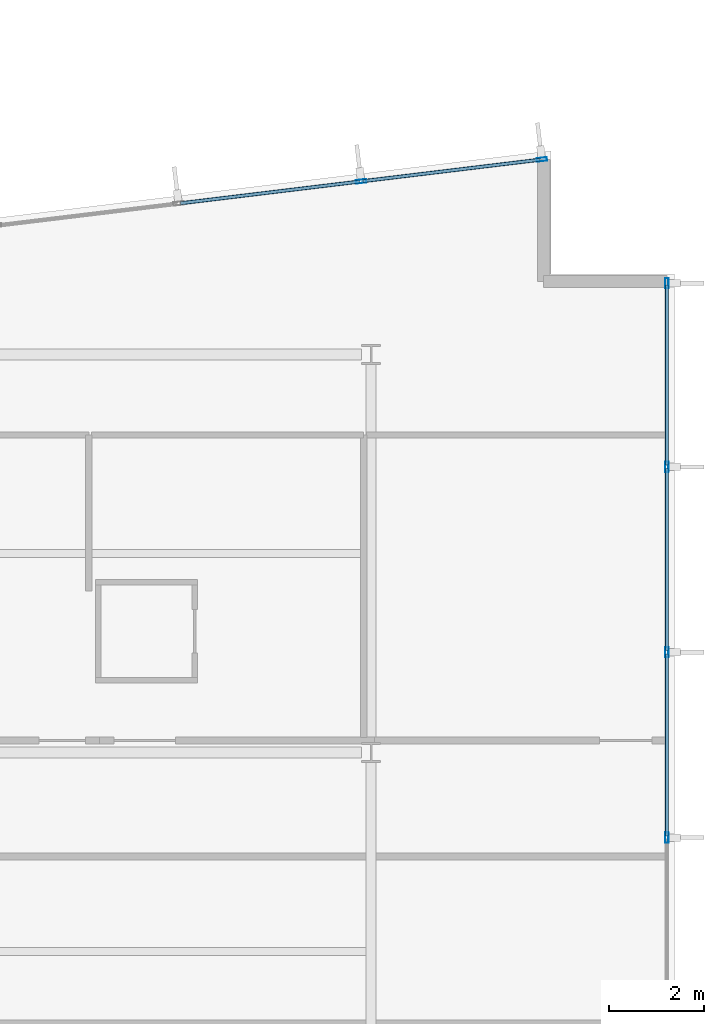
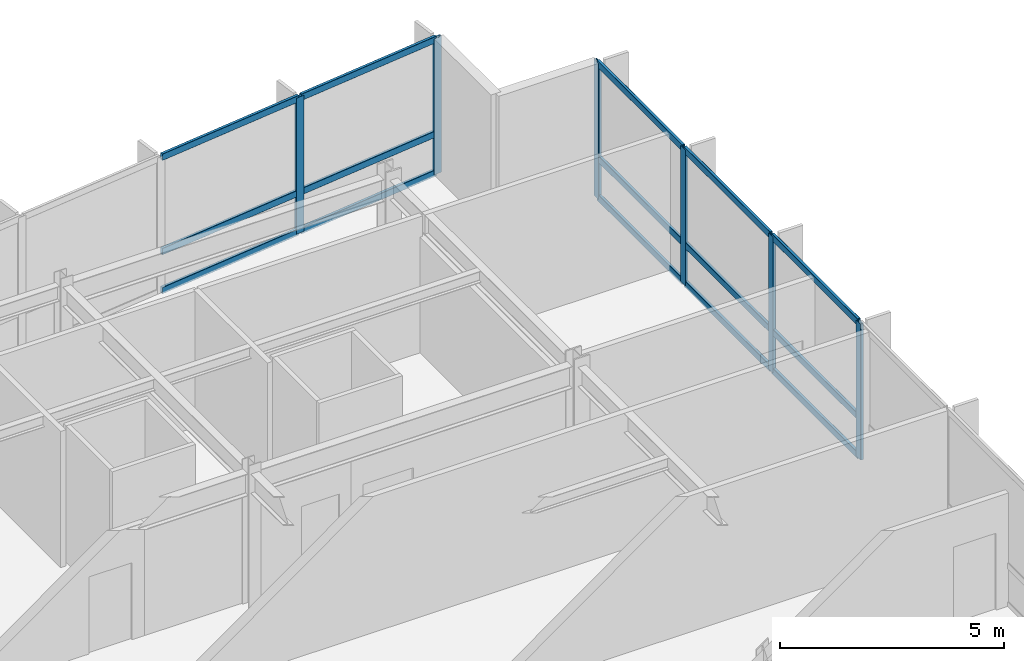
# One storey, part 8 of 17: 21 members, 2 elements without a shape of their own.
"""IFC4 building model written with IfcOpenShell, lengths in metres."""

import ifcopenshell
import ifcopenshell.guid

model = None  # the IFC model being written
_history = None  # IfcOwnerHistory: only IFC2X3 demands one
_inside = {}  # id of a spatial element -> (the spatial element, [elements in it])
_under = {}  # id of a project, library or spatial element -> (it, [spatial elements below it])
_declared = {}  # id of a project -> (the project, [libraries it declares])
_typed = {}  # id of a type object -> (the type object, [elements of that type])
_made_of = {}  # id of a material, layer set ... -> (it, [elements and type objects made of it])


def new_model(schema):
    """Start an empty IFC model of exactly this schema.

    Asked for "IFC4X3", IfcOpenShell would pick the latest addendum, in which some entities
    have other attributes; the version numbers below select the first issue.
    IFC2X3 requires an IfcOwnerHistory on every rooted entity: one is made here for all.
    """
    global model, _history
    if schema == "IFC4X3":
        model = ifcopenshell.file(schema_version=(4, 3, 0, 0))
    else:
        model = ifcopenshell.file(schema=schema)
    _inside.clear()
    _under.clear()
    _declared.clear()
    _typed.clear()
    _made_of.clear()
    _history = None
    if model.schema == "IFC2X3":
        org = make("IfcOrganization", Name="unknown")
        user = make(
            "IfcPersonAndOrganization",
            ThePerson=make("IfcPerson", FamilyName="unknown"),
            TheOrganization=org,
        )
        app = make(
            "IfcApplication",
            ApplicationDeveloper=org,
            Version="unknown",
            ApplicationFullName="unknown",
            ApplicationIdentifier="unknown",
        )
        _history = make(
            "IfcOwnerHistory",
            OwningUser=user,
            OwningApplication=app,
            ChangeAction="ADDED",
            CreationDate=0,
        )
    return model


def make(cls, **values):
    """One entity of the class cls with the attributes given. An attribute that is None is left unset."""
    return model.create_entity(
        cls, **{name: value for name, value in values.items() if value is not None}
    )


def rooted(cls, **values):
    """An entity with a GlobalId (a new one), such as an element, a storey or a relation."""
    return make(cls, GlobalId=ifcopenshell.guid.new(), OwnerHistory=_history, **values)


def si_unit(unit_type, name, prefix=None):
    """IfcSIUnit, for example si_unit("LENGTHUNIT", "METRE", prefix="MILLI")."""
    return make("IfcSIUnit", UnitType=unit_type, Prefix=prefix, Name=name)


def assignment(units):
    """IfcUnitAssignment: the units of a project."""
    return None if units is None else make("IfcUnitAssignment", Units=units)


def point(xyz):
    """IfcCartesianPoint."""
    return None if xyz is None else make("IfcCartesianPoint", Coordinates=xyz)


def direction(xyz):
    """IfcDirection."""
    return None if xyz is None else make("IfcDirection", DirectionRatios=xyz)


def frame(location, z_axis=None, x_axis=None):
    """IfcAxis2Placement3D, a coordinate frame: its origin and axes. An axis left out is left unset."""
    return make(
        "IfcAxis2Placement3D",
        Location=point(location),
        Axis=direction(z_axis),
        RefDirection=direction(x_axis),
    )


def frame_2d(location, x_axis=None):
    """IfcAxis2Placement2D, a coordinate frame in the plane: its origin and x axis."""
    return make(
        "IfcAxis2Placement2D", Location=point(location), RefDirection=direction(x_axis)
    )


def origin():
    """The frame at (0, 0, 0) with its axes left unset."""
    return frame((0.0, 0.0, 0.0))


def origin_2d():
    """The frame at (0, 0) in the plane with its x axis left unset."""
    return frame_2d((0.0, 0.0))


def place(relative_to, where):
    """IfcLocalPlacement: puts the frame where relative to a parent placement (None: the world)."""
    return make(
        "IfcLocalPlacement", PlacementRelTo=relative_to, RelativePlacement=where
    )


def context(
    kind, dimensions, precision=None, world=None, true_north=None, identifier=None
):
    """IfcGeometricRepresentationContext, for example the 3D "Model" context."""
    return make(
        "IfcGeometricRepresentationContext",
        ContextIdentifier=identifier,
        ContextType=kind,
        CoordinateSpaceDimension=dimensions,
        Precision=precision,
        WorldCoordinateSystem=world,
        TrueNorth=true_north,
    )


def subcontext(parent, identifier, kind, view, scale=None):
    """IfcGeometricRepresentationSubContext, for example "Body" below "Model"."""
    return make(
        "IfcGeometricRepresentationSubContext",
        ContextIdentifier=identifier,
        ContextType=kind,
        ParentContext=parent,
        TargetScale=scale,
        TargetView=view,
    )


def project(units=None, contexts=None):
    """IfcProject with its units and contexts."""
    return rooted(
        "IfcProject",
        Name="project",
        RepresentationContexts=contexts,
        UnitsInContext=assignment(units),
    )


def spatial(cls, under=None, at=None, **own):
    """A site, building, storey or space (cls), placed at a placement, below another one or the project."""
    s = rooted(cls, ObjectPlacement=at, **own)
    if under is not None:
        _under.setdefault(under.id(), (under, []))[1].append(s)
    return s


def profile(cls, at=None, kind="AREA", **sizes):
    """A parametric profile (cls). Its sizes go by their IFC names, for example OverallWidth=200.0."""
    return make(cls, ProfileType=kind, Position=at, **sizes)


def hollow_rectangle(**sizes):
    """IfcRectangleHollowProfileDef."""
    return profile("IfcRectangleHollowProfileDef", **sizes)


def extrude(swept, where, along, depth):
    """IfcExtrudedAreaSolid: the profile swept, set in the frame where, extruded along a direction by depth."""
    return make(
        "IfcExtrudedAreaSolid",
        SweptArea=swept,
        Position=where,
        ExtrudedDirection=direction(along),
        Depth=depth,
    )


def shape(context_of_items, identifier, shape_type, items):
    """IfcShapeRepresentation: the items that make up one representation, for example the "Body"."""
    return make(
        "IfcShapeRepresentation",
        ContextOfItems=context_of_items,
        RepresentationIdentifier=identifier,
        RepresentationType=shape_type,
        Items=items,
    )


def material(Name=None, Category=None):
    """IfcMaterial."""
    return make("IfcMaterial", Name=Name, Category=Category)


def layer(
    of_material, thickness, ventilated=None, Name=None, Category=None, Priority=None
):
    """IfcMaterialLayer: one layer of a wall or slab, of a material (None: an air gap)."""
    return make(
        "IfcMaterialLayer",
        Material=of_material,
        LayerThickness=thickness,
        IsVentilated=ventilated,
        Name=Name,
        Category=Category,
        Priority=Priority,
    )


def layer_set(layers, Name=None):
    """IfcMaterialLayerSet."""
    return make("IfcMaterialLayerSet", MaterialLayers=layers, LayerSetName=Name)


def material_profile(
    of_material, cross_section, Name=None, Category=None, Priority=None
):
    """IfcMaterialProfile: a cross section and its material."""
    return make(
        "IfcMaterialProfile",
        Name=Name,
        Material=of_material,
        Profile=cross_section,
        Priority=Priority,
        Category=Category,
    )


def profile_set(profiles, Name=None, composite=None):
    """IfcMaterialProfileSet."""
    return make(
        "IfcMaterialProfileSet",
        Name=Name,
        MaterialProfiles=profiles,
        CompositeProfile=composite,
    )


def made_of(thing, what):
    """Note that an element or type object is made of a material, layer set ...; save() writes the relation."""
    if what is not None:
        _made_of.setdefault(what.id(), (what, []))[1].append(thing)
    return thing


def type_object(cls, material=None, **own):
    """A type object (cls), such as IfcWallType, which elements share."""
    return made_of(rooted(cls, **own), material)


def element(
    cls,
    number,
    at=None,
    inside=None,
    cuts=None,
    type_object=None,
    material=None,
    context=None,
    identifier="Body",
    shape_type=None,
    held_by="IfcProductDefinitionShape",
    body=None,
    shapes=None,
    **own,
):
    """One element of the class cls, such as IfcWall. Its Tag is "e" and its number.

    at: its placement. inside: the storey or other place that contains it. cuts: it is an
    opening in that element (IfcRelVoidsElement). A single representation is given by context,
    identifier, shape_type and body (its items); several are given by shapes. held_by: the class
    of the entity that holds the representations. save() writes the other relations.
    """
    e = rooted(cls, Tag="e%d" % number, ObjectPlacement=at, **own)
    if body is not None:
        shapes = [shape(context, identifier, shape_type, body)]
    if shapes is not None:
        e.Representation = make(held_by, Representations=shapes)
    if inside is not None:
        _inside.setdefault(inside.id(), (inside, []))[1].append(e)
    if cuts is not None:
        rooted(
            "IfcRelVoidsElement", RelatingBuildingElement=cuts, RelatedOpeningElement=e
        )
    if type_object is not None:
        _typed.setdefault(type_object.id(), (type_object, []))[1].append(e)
    return made_of(e, material)


def aggregate(whole, parts):
    """IfcRelAggregates: a whole, such as a stair, and the parts it consists of."""
    return rooted("IfcRelAggregates", RelatingObject=whole, RelatedObjects=parts)


def save(model, path):
    """Write the relations noted so far, then the file.

    IfcRelAggregates (storeys below a building ...), IfcRelContainedInSpatialStructure (elements
    in a storey), IfcRelDefinesByType, IfcRelAssociatesMaterial and IfcRelDeclares: one each for
    every whole, place, type object, material and project.
    """
    for whole, parts in _under.values():
        aggregate(whole, parts)
    for where, things in _inside.values():
        rooted(
            "IfcRelContainedInSpatialStructure",
            RelatedElements=things,
            RelatingStructure=where,
        )
    for kind, things in _typed.values():
        rooted("IfcRelDefinesByType", RelatedObjects=things, RelatingType=kind)
    for what, things in _made_of.values():
        rooted("IfcRelAssociatesMaterial", RelatedObjects=things, RelatingMaterial=what)
    for by, libraries in _declared.values():
        rooted("IfcRelDeclares", RelatingContext=by, RelatedDefinitions=libraries)
    model.write(path)


model = new_model("IFC4")

# Units and contexts
model_context = context("Model", 3, precision=1e-05, world=origin(), true_north=direction((0.0, 1.0)))
body_context = subcontext(model_context, "Body", "Model", "MODEL_VIEW")
ifc_project = project(units=[si_unit("LENGTHUNIT", "METRE"), si_unit("AREAUNIT", "SQUARE_METRE"), si_unit("VOLUMEUNIT", "CUBIC_METRE"), si_unit("PLANEANGLEUNIT", "RADIAN"), si_unit("MASSUNIT", "GRAM", prefix="KILO")], contexts=[model_context])

# Site, building, storey
site_placement = place(None, origin())
site = spatial("IfcSite", under=ifc_project, at=site_placement, CompositionType="ELEMENT")
building_placement = place(site_placement, origin())
building = spatial("IfcBuilding", under=site, at=building_placement, Name="Varnakote Quay Hospital", CompositionType="ELEMENT")
storey_placement = place(building_placement, frame((0.0, 0.0, 146.800048828125)))
storey = spatial("IfcBuildingStorey", under=building, at=storey_placement, Name="L36", CompositionType="ELEMENT", Elevation=146.800048828125)

# Curtain wall, members
ifc_material_1 = material(Name="Anodised aluminium 6063-T6 Bronze", Category="aluminium")
ifc_layer = layer(ifc_material_1, 0.205078125)
ifc_layer_set = layer_set([ifc_layer], Name="Anodised aluminium 6063-T6 Bronze")
curtain_wall_type = type_object("IfcCurtainWallType", Name="CW-SYS-3", PredefinedType="NOTDEFINED", material=ifc_layer_set)
curtain_wall_1_placement = place(storey_placement, origin())
curtain_wall_1 = element("IfcCurtainWall", 1, at=curtain_wall_1_placement, inside=storey, type_object=curtain_wall_type, Name="L36 Unitised Bronze Curtain Wall 1", PredefinedType="NOTDEFINED")
ifc_material_2 = material(Name="Anodised aluminium 6063-T6 Bronze", Category="aluminium")
ifc_material_profile_1 = material_profile(ifc_material_2, hollow_rectangle(XDim=0.074951171875, YDim=0.219970703125, WallThickness=0.00439453125, InnerFilletRadius=0.00439453125, OuterFilletRadius=0.009033203125, at=origin_2d()), Name="CW-MULL-220x75")
ifc_profile_set_1 = profile_set([ifc_material_profile_1], Name="Anodised aluminium 6063-T6 Bronze")
member_type_1 = type_object("IfcMemberType", Name="CW-MULL-220x75", PredefinedType="MULLION", material=ifc_profile_set_1)
member_1_placement = place(storey_placement, frame((56.639892578125, 18.60009765625, 0.0), z_axis=(0.0, 0.0, 1.0), x_axis=(-1.0, 0.0, 0.0)))
member_1 = element("IfcMember", 2, at=member_1_placement, type_object=member_type_1, Name="-3-L36-1 mullion 4", PredefinedType="MULLION", context=body_context, shape_type="SweptSolid", body=[
    extrude(hollow_rectangle(XDim=0.074951171875, YDim=0.219970703125, WallThickness=0.00439453125, InnerFilletRadius=0.00439453125, OuterFilletRadius=0.009033203125, at=origin_2d()), origin(), (0.0, 0.0, 1.0), 3.7099609375),
])
member_2_placement = place(storey_placement, frame((56.639892578125, 22.513427734375, 0.0), z_axis=(0.0, 0.0, 1.0), x_axis=(-1.0, 0.0, 0.0)))
member_2 = element("IfcMember", 3, at=member_2_placement, type_object=member_type_1, Name="-3-L36-1 mullion 5", PredefinedType="MULLION", context=body_context, shape_type="SweptSolid", body=[
    extrude(hollow_rectangle(XDim=0.074951171875, YDim=0.219970703125, WallThickness=0.00439453125, InnerFilletRadius=0.00439453125, OuterFilletRadius=0.009033203125, at=origin_2d()), origin(), (0.0, 0.0, 1.0), 3.7099609375),
])
member_3_placement = place(storey_placement, frame((56.639892578125, 26.4267578125, 0.0), z_axis=(0.0, 0.0, 1.0), x_axis=(-1.0, 0.0, 0.0)))
member_3 = element("IfcMember", 4, at=member_3_placement, type_object=member_type_1, Name="-3-L36-1 mullion 6", PredefinedType="MULLION", context=body_context, shape_type="SweptSolid", body=[
    extrude(hollow_rectangle(XDim=0.074951171875, YDim=0.219970703125, WallThickness=0.00439453125, InnerFilletRadius=0.00439453125, OuterFilletRadius=0.009033203125, at=origin_2d()), origin(), (0.0, 0.0, 1.0), 3.7099609375),
])
member_4_placement = place(storey_placement, frame((56.639892578125, 30.302490234375, 0.0), z_axis=(0.0, 0.0, 1.0), x_axis=(-1.0, 0.0, 0.0)))
member_4 = element("IfcMember", 5, at=member_4_placement, type_object=member_type_1, Name="-3-L36-1 mullion 7", PredefinedType="MULLION", context=body_context, shape_type="SweptSolid", body=[
    extrude(hollow_rectangle(XDim=0.074951171875, YDim=0.219970703125, WallThickness=0.00439453125, InnerFilletRadius=0.00439453125, OuterFilletRadius=0.009033203125, at=origin_2d()), origin(), (0.0, 0.0, 1.0), 3.7099609375),
])

curtain_wall_2_placement = place(storey_placement, origin())
curtain_wall_2 = element("IfcCurtainWall", 6, at=curtain_wall_2_placement, inside=storey, type_object=curtain_wall_type, Name="L36 Unitised Bronze Curtain Wall 2", PredefinedType="NOTDEFINED")
member_5_placement = place(storey_placement, frame((54.002685546875, 32.914794921875, 0.0), z_axis=(0.0, 0.0, 1.0), x_axis=(0.12032713492, -0.992734295067, 0.0)))
member_5 = element("IfcMember", 7, at=member_5_placement, type_object=member_type_1, Name="-3-L36-2 mullion 1", PredefinedType="MULLION", context=body_context, shape_type="SweptSolid", body=[
    extrude(hollow_rectangle(XDim=0.074951171875, YDim=0.219970703125, WallThickness=0.00439453125, InnerFilletRadius=0.00439453125, OuterFilletRadius=0.009033203125, at=origin_2d()), origin(), (0.0, 0.0, 1.0), 3.7099609375),
])
member_6_placement = place(storey_placement, frame((50.1875, 32.452392578125, 0.0), z_axis=(0.0, 0.0, 1.0), x_axis=(0.12032713492, -0.992734295067, 0.0)))
member_6 = element("IfcMember", 8, at=member_6_placement, type_object=member_type_1, Name="-3-L36-2 mullion 2", PredefinedType="MULLION", context=body_context, shape_type="SweptSolid", body=[
    extrude(hollow_rectangle(XDim=0.074951171875, YDim=0.219970703125, WallThickness=0.00439453125, InnerFilletRadius=0.00439453125, OuterFilletRadius=0.009033203125, at=origin_2d()), origin(), (0.0, 0.0, 1.0), 3.7099609375),
])

# Member
ifc_material_3 = material(Name="Anodised aluminium 6063-T6 Bronze", Category="aluminium")
ifc_material_profile_2 = material_profile(ifc_material_3, hollow_rectangle(XDim=0.074951171875, YDim=0.179931640625, WallThickness=0.004150390625, InnerFilletRadius=0.004150390625, OuterFilletRadius=0.00830078125, at=origin_2d()), Name="CW-TRAN-180x75")
ifc_profile_set_2 = profile_set([ifc_material_profile_2], Name="Anodised aluminium 6063-T6 Bronze")
member_type_2 = type_object("IfcMemberType", Name="CW-TRAN-180x75", PredefinedType="USERDEFINED", material=ifc_profile_set_2)
member_7_placement = place(storey_placement, frame((56.639892578125, 18.637451171875, 0.037353515625), z_axis=(0.0, 1.0, 0.0), x_axis=(-1.0, 0.0, 0.0)))
member_7 = element("IfcMember", 9, at=member_7_placement, type_object=member_type_2, Name="-3-L36-1 transom 4.1", ObjectType="TRANSOM", PredefinedType="USERDEFINED", context=body_context, shape_type="SweptSolid", body=[
    extrude(hollow_rectangle(XDim=0.074951171875, YDim=0.179931640625, WallThickness=0.004150390625, InnerFilletRadius=0.004150390625, OuterFilletRadius=0.00830078125, at=origin_2d()), origin(), (0.0, 0.0, 1.0), 3.83837890625),
])

member_8_placement = place(storey_placement, frame((56.639892578125, 18.637451171875, 1.099853515625), z_axis=(0.0, 1.0, 0.0), x_axis=(-1.0, 0.0, 0.0)))
member_8 = element("IfcMember", 10, at=member_8_placement, type_object=member_type_2, Name="-3-L36-1 transom 4.2", ObjectType="TRANSOM", PredefinedType="USERDEFINED", context=body_context, shape_type="SweptSolid", body=[
    extrude(hollow_rectangle(XDim=0.074951171875, YDim=0.179931640625, WallThickness=0.004150390625, InnerFilletRadius=0.004150390625, OuterFilletRadius=0.00830078125, at=origin_2d()), origin(), (0.0, 0.0, 1.0), 3.83837890625),
])

member_9_placement = place(storey_placement, frame((56.639892578125, 18.637451171875, 3.67236328125), z_axis=(0.0, 1.0, 0.0), x_axis=(-1.0, 0.0, 0.0)))
member_9 = element("IfcMember", 11, at=member_9_placement, type_object=member_type_2, Name="-3-L36-1 transom 4.3", ObjectType="TRANSOM", PredefinedType="USERDEFINED", context=body_context, shape_type="SweptSolid", body=[
    extrude(hollow_rectangle(XDim=0.074951171875, YDim=0.179931640625, WallThickness=0.004150390625, InnerFilletRadius=0.004150390625, OuterFilletRadius=0.00830078125, at=origin_2d()), origin(), (0.0, 0.0, 1.0), 3.83837890625),
])

member_10_placement = place(storey_placement, frame((56.639892578125, 22.55078125, 0.037353515625), z_axis=(0.0, 1.0, 0.0), x_axis=(-1.0, 0.0, 0.0)))
member_10 = element("IfcMember", 12, at=member_10_placement, type_object=member_type_2, Name="-3-L36-1 transom 5.1", ObjectType="TRANSOM", PredefinedType="USERDEFINED", context=body_context, shape_type="SweptSolid", body=[
    extrude(hollow_rectangle(XDim=0.074951171875, YDim=0.179931640625, WallThickness=0.004150390625, InnerFilletRadius=0.004150390625, OuterFilletRadius=0.00830078125, at=origin_2d()), origin(), (0.0, 0.0, 1.0), 3.83837890625),
])

member_11_placement = place(storey_placement, frame((56.639892578125, 22.55078125, 1.099853515625), z_axis=(0.0, 1.0, 0.0), x_axis=(-1.0, 0.0, 0.0)))
member_11 = element("IfcMember", 13, at=member_11_placement, type_object=member_type_2, Name="-3-L36-1 transom 5.2", ObjectType="TRANSOM", PredefinedType="USERDEFINED", context=body_context, shape_type="SweptSolid", body=[
    extrude(hollow_rectangle(XDim=0.074951171875, YDim=0.179931640625, WallThickness=0.004150390625, InnerFilletRadius=0.004150390625, OuterFilletRadius=0.00830078125, at=origin_2d()), origin(), (0.0, 0.0, 1.0), 3.83837890625),
])

member_12_placement = place(storey_placement, frame((56.639892578125, 22.55078125, 3.67236328125), z_axis=(0.0, 1.0, 0.0), x_axis=(-1.0, 0.0, 0.0)))
member_12 = element("IfcMember", 14, at=member_12_placement, type_object=member_type_2, Name="-3-L36-1 transom 5.3", ObjectType="TRANSOM", PredefinedType="USERDEFINED", context=body_context, shape_type="SweptSolid", body=[
    extrude(hollow_rectangle(XDim=0.074951171875, YDim=0.179931640625, WallThickness=0.004150390625, InnerFilletRadius=0.004150390625, OuterFilletRadius=0.00830078125, at=origin_2d()), origin(), (0.0, 0.0, 1.0), 3.83837890625),
])

member_13_placement = place(storey_placement, frame((56.639892578125, 26.464111328125, 0.037353515625), z_axis=(0.0, 1.0, 0.0), x_axis=(-1.0, 0.0, 0.0)))
member_13 = element("IfcMember", 15, at=member_13_placement, type_object=member_type_2, Name="-3-L36-1 transom 6.1", ObjectType="TRANSOM", PredefinedType="USERDEFINED", context=body_context, shape_type="SweptSolid", body=[
    extrude(hollow_rectangle(XDim=0.074951171875, YDim=0.179931640625, WallThickness=0.004150390625, InnerFilletRadius=0.004150390625, OuterFilletRadius=0.00830078125, at=origin_2d()), origin(), (0.0, 0.0, 1.0), 3.80078125),
])

member_14_placement = place(storey_placement, frame((56.639892578125, 26.464111328125, 1.099853515625), z_axis=(0.0, 1.0, 0.0), x_axis=(-1.0, 0.0, 0.0)))
member_14 = element("IfcMember", 16, at=member_14_placement, type_object=member_type_2, Name="-3-L36-1 transom 6.2", ObjectType="TRANSOM", PredefinedType="USERDEFINED", context=body_context, shape_type="SweptSolid", body=[
    extrude(hollow_rectangle(XDim=0.074951171875, YDim=0.179931640625, WallThickness=0.004150390625, InnerFilletRadius=0.004150390625, OuterFilletRadius=0.00830078125, at=origin_2d()), origin(), (0.0, 0.0, 1.0), 3.80078125),
])

member_15_placement = place(storey_placement, frame((56.639892578125, 26.464111328125, 3.67236328125), z_axis=(0.0, 1.0, 0.0), x_axis=(-1.0, 0.0, 0.0)))
member_15 = element("IfcMember", 17, at=member_15_placement, type_object=member_type_2, Name="-3-L36-1 transom 6.3", ObjectType="TRANSOM", PredefinedType="USERDEFINED", context=body_context, shape_type="SweptSolid", body=[
    extrude(hollow_rectangle(XDim=0.074951171875, YDim=0.179931640625, WallThickness=0.004150390625, InnerFilletRadius=0.004150390625, OuterFilletRadius=0.00830078125, at=origin_2d()), origin(), (0.0, 0.0, 1.0), 3.80078125),
])

aggregate(curtain_wall_1, [member_1, member_2, member_3, member_4, member_7, member_8, member_9, member_10, member_11, member_12, member_13, member_14, member_15])

member_16_placement = place(storey_placement, frame((53.965576171875, 32.910400390625, 0.037353515625), z_axis=(-0.992735423717, -0.120317822859, 0.0), x_axis=(0.120317822859, -0.992735423717, 0.0)))
member_16 = element("IfcMember", 18, at=member_16_placement, type_object=member_type_2, Name="-3-L36-2 transom 1.1", ObjectType="TRANSOM", PredefinedType="USERDEFINED", context=body_context, shape_type="SweptSolid", body=[
    extrude(hollow_rectangle(XDim=0.074951171875, YDim=0.179931640625, WallThickness=0.004150390625, InnerFilletRadius=0.004150390625, OuterFilletRadius=0.00830078125, at=origin_2d()), origin(), (0.0, 0.0, 1.0), 3.76806640625),
])

member_17_placement = place(storey_placement, frame((53.965576171875, 32.910400390625, 1.099853515625), z_axis=(-0.992735423717, -0.120317822859, 0.0), x_axis=(0.120317822859, -0.992735423717, 0.0)))
member_17 = element("IfcMember", 19, at=member_17_placement, type_object=member_type_2, Name="-3-L36-2 transom 1.2", ObjectType="TRANSOM", PredefinedType="USERDEFINED", context=body_context, shape_type="SweptSolid", body=[
    extrude(hollow_rectangle(XDim=0.074951171875, YDim=0.179931640625, WallThickness=0.004150390625, InnerFilletRadius=0.004150390625, OuterFilletRadius=0.00830078125, at=origin_2d()), origin(), (0.0, 0.0, 1.0), 3.76806640625),
])

member_18_placement = place(storey_placement, frame((53.965576171875, 32.910400390625, 3.67236328125), z_axis=(-0.992735423717, -0.120317822859, 0.0), x_axis=(0.120317822859, -0.992735423717, 0.0)))
member_18 = element("IfcMember", 20, at=member_18_placement, type_object=member_type_2, Name="-3-L36-2 transom 1.3", ObjectType="TRANSOM", PredefinedType="USERDEFINED", context=body_context, shape_type="SweptSolid", body=[
    extrude(hollow_rectangle(XDim=0.074951171875, YDim=0.179931640625, WallThickness=0.004150390625, InnerFilletRadius=0.004150390625, OuterFilletRadius=0.00830078125, at=origin_2d()), origin(), (0.0, 0.0, 1.0), 3.76806640625),
])

member_19_placement = place(storey_placement, frame((50.150390625, 32.447998046875, 0.037353515625), z_axis=(-0.992731924158, -0.120346694005, 0.0), x_axis=(0.120346694005, -0.992731924158, 0.0)))
member_19 = element("IfcMember", 21, at=member_19_placement, type_object=member_type_2, Name="-3-L36-2 transom 2.1", ObjectType="TRANSOM", PredefinedType="USERDEFINED", context=body_context, shape_type="SweptSolid", body=[
    extrude(hollow_rectangle(XDim=0.074951171875, YDim=0.179931640625, WallThickness=0.004150390625, InnerFilletRadius=0.004150390625, OuterFilletRadius=0.00830078125, at=origin_2d()), origin(), (0.0, 0.0, 1.0), 3.8056640625),
])

member_20_placement = place(storey_placement, frame((50.150390625, 32.447998046875, 1.099853515625), z_axis=(-0.992731924158, -0.120346694005, 0.0), x_axis=(0.120346694005, -0.992731924158, 0.0)))
member_20 = element("IfcMember", 22, at=member_20_placement, type_object=member_type_2, Name="-3-L36-2 transom 2.2", ObjectType="TRANSOM", PredefinedType="USERDEFINED", context=body_context, shape_type="SweptSolid", body=[
    extrude(hollow_rectangle(XDim=0.074951171875, YDim=0.179931640625, WallThickness=0.004150390625, InnerFilletRadius=0.004150390625, OuterFilletRadius=0.00830078125, at=origin_2d()), origin(), (0.0, 0.0, 1.0), 3.8056640625),
])

member_21_placement = place(storey_placement, frame((50.150390625, 32.447998046875, 3.67236328125), z_axis=(-0.992731924158, -0.120346694005, 0.0), x_axis=(0.120346694005, -0.992731924158, 0.0)))
member_21 = element("IfcMember", 23, at=member_21_placement, type_object=member_type_2, Name="-3-L36-2 transom 2.3", ObjectType="TRANSOM", PredefinedType="USERDEFINED", context=body_context, shape_type="SweptSolid", body=[
    extrude(hollow_rectangle(XDim=0.074951171875, YDim=0.179931640625, WallThickness=0.004150390625, InnerFilletRadius=0.004150390625, OuterFilletRadius=0.00830078125, at=origin_2d()), origin(), (0.0, 0.0, 1.0), 3.8056640625),
])

aggregate(curtain_wall_2, [member_5, member_6, member_16, member_17, member_18, member_19, member_20, member_21])

save(model, "model.ifc")
